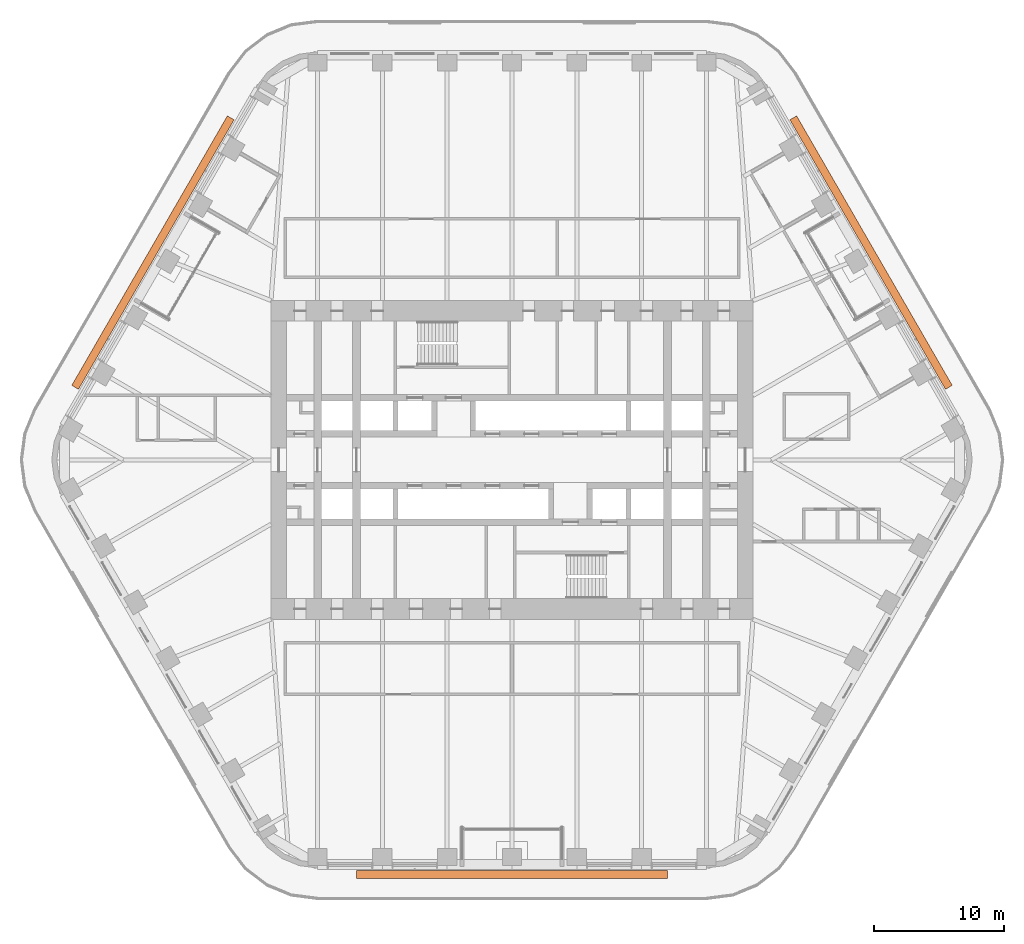
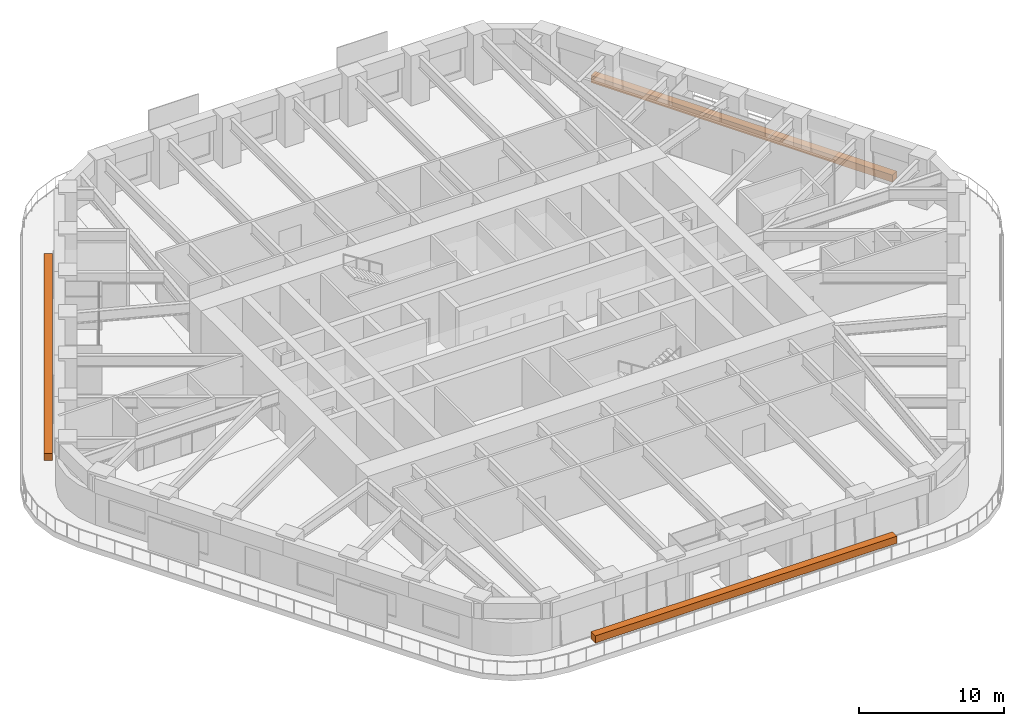
# One storey, part 24 of 24: 3 proxies.
"""IFC4 building model written with IfcOpenShell, lengths in metres."""

from ifc_helpers import new_model, si_unit, direction, frame, origin, origin_2d, place, context, subcontext, project, spatial, rectangle, extrude, material, element, save


model = new_model("IFC4")

# Units and contexts
model_context = context("Model", 3, precision=1e-05, world=origin(), true_north=direction((0.0, 1.0)))
body_context = subcontext(model_context, "Body", "Model", "MODEL_VIEW")
ifc_project = project(units=[si_unit("LENGTHUNIT", "METRE"), si_unit("AREAUNIT", "SQUARE_METRE"), si_unit("VOLUMEUNIT", "CUBIC_METRE"), si_unit("PLANEANGLEUNIT", "RADIAN"), si_unit("MASSUNIT", "GRAM", prefix="KILO")], contexts=[model_context])

# Site, building, storey
site_placement = place(None, origin())
site = spatial("IfcSite", under=ifc_project, at=site_placement, CompositionType="ELEMENT")
building_placement = place(site_placement, origin())
building = spatial("IfcBuilding", under=site, at=building_placement, Name="Tarfa Lantern Tower", CompositionType="ELEMENT")
storey_placement = place(building_placement, frame((0.0, 0.0, 195.10009765625)))
storey = spatial("IfcBuildingStorey", under=building, at=storey_placement, Name="L44", CompositionType="ELEMENT", Elevation=195.10009765625)

# Proxies
ifc_material = material(Name="Planting bed")
for number, where, z_axis, x_axis, name in (
    (1, (27.712890625, 16.0, -0.000244140625), (0.0, 0.0, 1.0), (-0.5, 0.866025403784, 0.0), "Balcony planter"),
    (2, (-27.712890625, 16.0, -0.000244140625), (0.0, 0.0, 1.0), (-0.5, -0.866025403784, 0.0), "Balcony planter"),
    (3, (0.0, -32.0, -0.000244140625), (0.0, 0.0, 1.0), (1.0, 0.0, 0.0), "Balcony planter"),
):
    element("IfcBuildingElementProxy", number, at=place(storey_placement, frame(where, z_axis=z_axis, x_axis=x_axis)), inside=storey, material=ifc_material, Name=name, ObjectType="PLANTER", PredefinedType="USERDEFINED", context=body_context, shape_type="SweptSolid", body=[
        extrude(rectangle(XDim=24.017822265625, YDim=0.60009765625, at=origin_2d()), origin(), (0.0, 0.0, 1.0), 0.60009765625),
    ])

save(model, "model.ifc")
